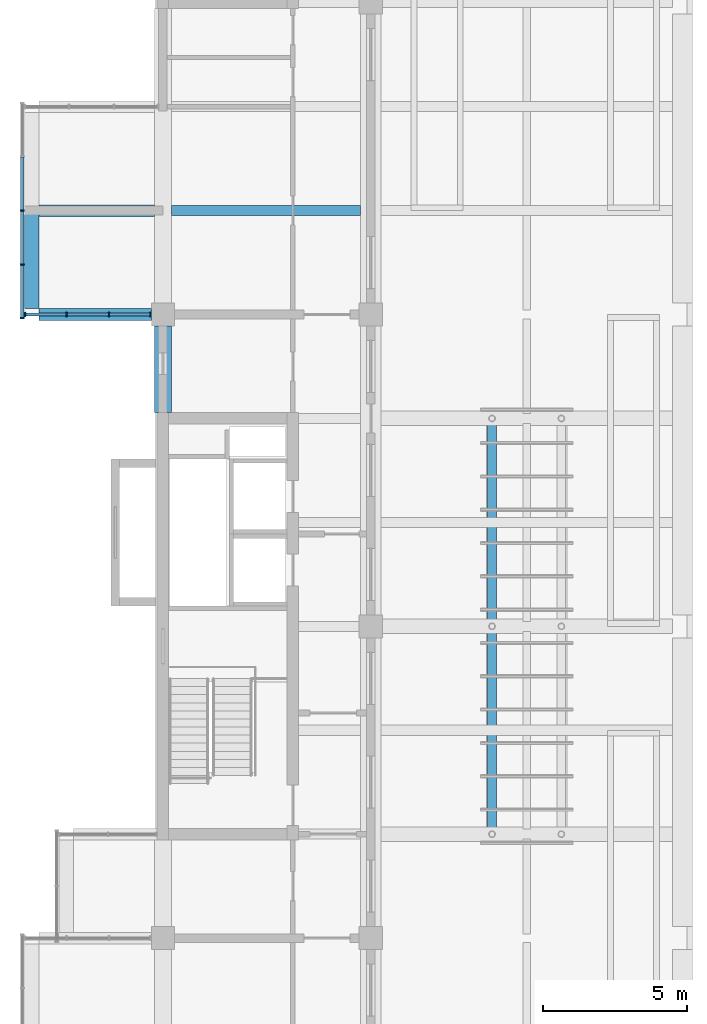
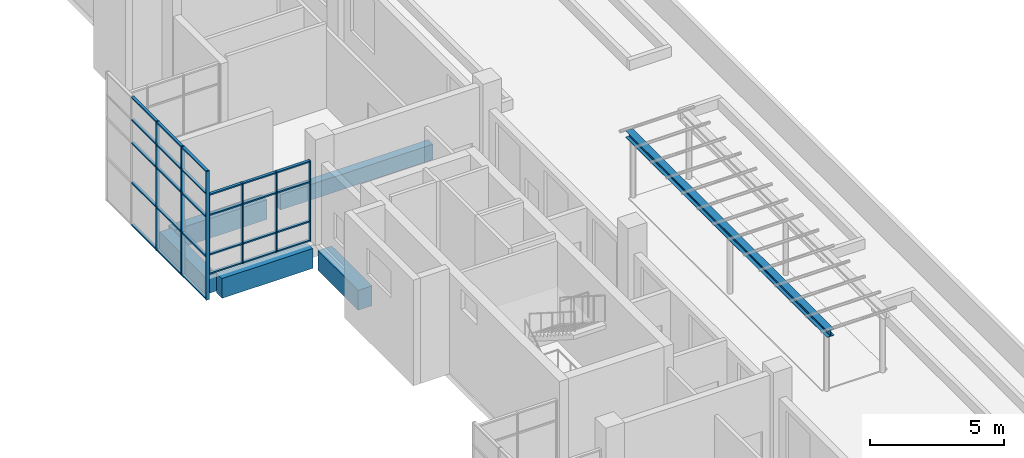
# One storey, part 7 of 16: 34 members, 6 beams, 2 elements without a shape of their own.
"""IFC4 building model written with IfcOpenShell, lengths in metres."""

from ifc_helpers import new_model, si_unit, direction, frame, origin, origin_2d, place, context, subcontext, project, spatial, rectangle, i_section, extrude, material, layer, layer_set, material_profile, profile_set, type_object, element, aggregate, save


model = new_model("IFC4")

# Units and contexts
model_context = context("Model", 3, precision=1e-05, world=origin(), true_north=direction((0.0, 1.0)))
body_context = subcontext(model_context, "Body", "Model", "MODEL_VIEW")
ifc_project = project(units=[si_unit("LENGTHUNIT", "METRE"), si_unit("AREAUNIT", "SQUARE_METRE"), si_unit("VOLUMEUNIT", "CUBIC_METRE"), si_unit("PLANEANGLEUNIT", "RADIAN"), si_unit("MASSUNIT", "GRAM", prefix="KILO")], contexts=[model_context])

# Site, building, storey
site_placement = place(None, origin())
site = spatial("IfcSite", under=ifc_project, at=site_placement, CompositionType="ELEMENT")
building_placement = place(site_placement, origin())
building = spatial("IfcBuilding", under=site, at=building_placement, Name="Basin Gate Institute", CompositionType="ELEMENT")
storey_placement = place(building_placement, frame((0.0, 0.0, 65.39990234375)))
storey = spatial("IfcBuildingStorey", under=building, at=storey_placement, Name="L13", CompositionType="ELEMENT", Elevation=65.39990234375)

# Beams
ifc_material_1 = material(Name="Concrete 40 MPa", Category="concrete")
ifc_material_profile_1 = material_profile(ifc_material_1, rectangle(XDim=0.35009765625, YDim=0.699951171875, at=origin_2d()), Name="Beam B1 350 x 700")
ifc_profile_set_1 = profile_set([ifc_material_profile_1], Name="Concrete 40 MPa")
beam_type_1 = type_object("IfcBeamType", Name="Beam B1 R120", PredefinedType="BEAM", material=ifc_profile_set_1)
beam_1_placement = place(storey_placement, frame((61.5, 81.89990234375, -0.599853515625), z_axis=(1.0, 0.0, 0.0), x_axis=(0.0, 1.0, 0.0)))
element("IfcBeam", 1, at=beam_1_placement, inside=storey, type_object=beam_type_1, material=ifc_profile_set_1, Name="BEAM/L13/W/OUT/14", PredefinedType="BEAM", context=body_context, shape_type="SweptSolid", body=[
    extrude(rectangle(XDim=0.35009765625, YDim=0.699951171875, at=origin_2d()), origin(), (0.0, 0.0, 1.0), 6.550048828125),
])
ifc_material_2 = material(Name="Concrete 50 MPa", Category="concrete")
ifc_material_profile_2 = material_profile(ifc_material_2, rectangle(XDim=0.39990234375, YDim=0.89990234375, at=origin_2d()), Name="Cantilever beam B3 400 x 900")
ifc_profile_set_2 = profile_set([ifc_material_profile_2], Name="Concrete 50 MPa")
beam_type_2 = type_object("IfcBeamType", Name="Cantilever beam B3 R120", PredefinedType="BEAM", material=ifc_profile_set_2)
beam_2_placement = place(storey_placement, frame((56.89990234375, 78.300048828125, -0.699951171875), z_axis=(1.0, 0.0, 0.0), x_axis=(0.0, 1.0, 0.0)))
element("IfcBeam", 2, at=beam_2_placement, inside=storey, type_object=beam_type_2, material=ifc_profile_set_2, Name="BEAM/L13/W/CANT/13", PredefinedType="BEAM", context=body_context, shape_type="SweptSolid", body=[
    extrude(rectangle(XDim=0.39990234375, YDim=0.89990234375, at=origin_2d()), origin(), (0.0, 0.0, 1.0), 3.900146484375),
])
beam_3_placement = place(storey_placement, frame((56.89990234375, 81.89990234375, -0.699951171875), z_axis=(1.0, 0.0, 0.0), x_axis=(0.0, 1.0, 0.0)))
element("IfcBeam", 3, at=beam_3_placement, inside=storey, type_object=beam_type_2, material=ifc_profile_set_2, Name="BEAM/L13/W/CANT/14", PredefinedType="BEAM", context=body_context, shape_type="SweptSolid", body=[
    extrude(rectangle(XDim=0.39990234375, YDim=0.89990234375, at=origin_2d()), origin(), (0.0, 0.0, 1.0), 4.0),
])
ifc_material_3 = material(Name="Concrete 50 MPa", Category="concrete")
ifc_material_profile_3 = material_profile(ifc_material_3, rectangle(XDim=0.60009765625, YDim=0.89990234375, at=origin_2d()), Name="Edge return beam EB3 600 x 900")
ifc_profile_set_3 = profile_set([ifc_material_profile_3], Name="Concrete 50 MPa")
beam_type_3 = type_object("IfcBeamType", Name="Edge return beam EB3 R120", PredefinedType="SPANDREL", material=ifc_profile_set_3)
beam_4_placement = place(storey_placement, frame((61.199951171875, 74.89990234375, -0.699951171875), z_axis=(0.0, 1.0, 0.0), x_axis=(-1.0, 0.0, 0.0)))
element("IfcBeam", 4, at=beam_4_placement, inside=storey, type_object=beam_type_3, material=ifc_profile_set_3, Name="BEAM/L13/W/EDGE/3", PredefinedType="SPANDREL", context=body_context, shape_type="SweptSolid", body=[
    extrude(rectangle(XDim=0.60009765625, YDim=0.89990234375, at=origin_2d()), origin(), (0.0, 0.0, 1.0), 3.0),
])

# Curtain wall, members
ifc_material_4 = material(Name="Aluminium-framed glazing", Category="aluminium")
ifc_layer = layer(ifc_material_4, 0.14990234375)
ifc_layer_set = layer_set([ifc_layer], Name="Capsule front curtain wall CW1")
curtain_wall_type = type_object("IfcCurtainWallType", Name="Capsule front curtain wall CW1", PredefinedType="NOTDEFINED", material=ifc_layer_set)
curtain_wall_1_placement = place(storey_placement, origin())
curtain_wall_1 = element("IfcCurtainWall", 5, at=curtain_wall_1_placement, inside=storey, type_object=curtain_wall_type, material=ifc_layer_set, Name="Capsule front curtain wall W wing capsule end L13 line 13", PredefinedType="NOTDEFINED")
ifc_material_5 = material(Name="Aluminium", Category="aluminium")
ifc_material_profile_4 = material_profile(ifc_material_5, rectangle(XDim=0.14990234375, YDim=0.050048828125, at=origin_2d()), Name="Mullion MU1 150 x 50")
ifc_profile_set_4 = profile_set([ifc_material_profile_4], Name="Aluminium")
member_type_1 = type_object("IfcMemberType", Name="Mullion MU1", PredefinedType="MULLION", material=ifc_profile_set_4)
member_1_placement = place(storey_placement, frame((56.425048828125, 78.300048828125, 0.0), z_axis=(0.0, 0.0, 1.0), x_axis=(0.0, 1.0, 0.0)))
member_1 = element("IfcMember", 6, at=member_1_placement, type_object=member_type_1, material=ifc_profile_set_4, Name="CW1 mullion 1", PredefinedType="MULLION", context=body_context, shape_type="SweptSolid", body=[
    extrude(rectangle(XDim=0.14990234375, YDim=0.050048828125, at=origin_2d()), origin(), (0.0, 0.0, 1.0), 3.650146484375),
])
member_2_placement = place(storey_placement, frame((57.86669921875, 78.300048828125, 0.0), z_axis=(0.0, 0.0, 1.0), x_axis=(0.0, 1.0, 0.0)))
member_2 = element("IfcMember", 7, at=member_2_placement, type_object=member_type_1, material=ifc_profile_set_4, Name="CW1 mullion 2", PredefinedType="MULLION", context=body_context, shape_type="SweptSolid", body=[
    extrude(rectangle(XDim=0.14990234375, YDim=0.050048828125, at=origin_2d()), origin(), (0.0, 0.0, 1.0), 3.650146484375),
])
member_3_placement = place(storey_placement, frame((59.333251953125, 78.300048828125, 0.0), z_axis=(0.0, 0.0, 1.0), x_axis=(0.0, 1.0, 0.0)))
member_3 = element("IfcMember", 8, at=member_3_placement, type_object=member_type_1, material=ifc_profile_set_4, Name="CW1 mullion 3", PredefinedType="MULLION", context=body_context, shape_type="SweptSolid", body=[
    extrude(rectangle(XDim=0.14990234375, YDim=0.050048828125, at=origin_2d()), origin(), (0.0, 0.0, 1.0), 3.650146484375),
])
member_4_placement = place(storey_placement, frame((60.77490234375, 78.300048828125, 0.0), z_axis=(0.0, 0.0, 1.0), x_axis=(0.0, 1.0, 0.0)))
member_4 = element("IfcMember", 9, at=member_4_placement, type_object=member_type_1, material=ifc_profile_set_4, Name="CW1 mullion 4", PredefinedType="MULLION", context=body_context, shape_type="SweptSolid", body=[
    extrude(rectangle(XDim=0.14990234375, YDim=0.050048828125, at=origin_2d()), origin(), (0.0, 0.0, 1.0), 3.650146484375),
])

curtain_wall_2_placement = place(storey_placement, origin())
curtain_wall_2 = element("IfcCurtainWall", 10, at=curtain_wall_2_placement, inside=storey, type_object=curtain_wall_type, material=ifc_layer_set, Name="Capsule front curtain wall W wing capsule 2 L13 front 2", PredefinedType="NOTDEFINED")
member_5_placement = place(storey_placement, frame((56.324951171875, 78.175048828125, -1.0498046875), z_axis=(0.0, 0.0, 1.0), x_axis=(-1.0, 0.0, 0.0)))
member_5 = element("IfcMember", 11, at=member_5_placement, type_object=member_type_1, material=ifc_profile_set_4, Name="CW1 mullion 1", PredefinedType="MULLION", context=body_context, shape_type="SweptSolid", body=[
    extrude(rectangle(XDim=0.14990234375, YDim=0.050048828125, at=origin_2d()), origin(), (0.0, 0.0, 1.0), 5.849853515625),
])
member_6_placement = place(storey_placement, frame((56.324951171875, 80.02490234375, -1.0498046875), z_axis=(0.0, 0.0, 1.0), x_axis=(-1.0, 0.0, 0.0)))
member_6 = element("IfcMember", 12, at=member_6_placement, type_object=member_type_1, material=ifc_profile_set_4, Name="CW1 mullion 2", PredefinedType="MULLION", context=body_context, shape_type="SweptSolid", body=[
    extrude(rectangle(XDim=0.14990234375, YDim=0.050048828125, at=origin_2d()), origin(), (0.0, 0.0, 1.0), 5.849853515625),
])
member_7_placement = place(storey_placement, frame((56.324951171875, 81.89990234375, -1.0498046875), z_axis=(0.0, 0.0, 1.0), x_axis=(-1.0, 0.0, 0.0)))
member_7 = element("IfcMember", 13, at=member_7_placement, type_object=member_type_1, material=ifc_profile_set_4, Name="CW1 mullion 3", PredefinedType="MULLION", context=body_context, shape_type="SweptSolid", body=[
    extrude(rectangle(XDim=0.14990234375, YDim=0.050048828125, at=origin_2d()), origin(), (0.0, 0.0, 1.0), 5.849853515625),
])

# Beams
ifc_material_6 = material(Name="Structural steel SN490", Category="steel")
ifc_material_profile_5 = material_profile(ifc_material_6, i_section(OverallWidth=0.300048828125, OverallDepth=0.300048828125, WebThickness=0.010009765625, FlangeThickness=0.014892578125, FilletRadius=0.01806640625, at=origin_2d()), Name="H300x300")
ifc_profile_set_5 = profile_set([ifc_material_profile_5], Name="Structural steel SN490")
beam_type_4 = type_object("IfcBeamType", Name="Pergola beam TC2", PredefinedType="BEAM", material=ifc_profile_set_5)
beam_5_placement = place(storey_placement, frame((72.60009765625, 60.0, 2.75), z_axis=(0.0, 1.0, 0.0), x_axis=(-1.0, 0.0, 0.0)))
element("IfcBeam", 14, at=beam_5_placement, inside=storey, type_object=beam_type_4, material=ifc_profile_set_5, Name="Pergola beam TC2 W1", PredefinedType="BEAM", context=body_context, shape_type="SweptSolid", body=[
    extrude(i_section(OverallWidth=0.300048828125, OverallDepth=0.300048828125, WebThickness=0.010009765625, FlangeThickness=0.014892578125, FilletRadius=0.01806640625, at=origin_2d()), origin(), (0.0, 0.0, 1.0), 15.0),
])
ifc_material_7 = material(Name="Concrete 50 MPa", Category="concrete")
ifc_material_profile_6 = material_profile(ifc_material_7, rectangle(XDim=0.5, YDim=0.800048828125, at=origin_2d()), Name="Tip beam TB1 500 x 800")
ifc_profile_set_6 = profile_set([ifc_material_profile_6], Name="Concrete 50 MPa")
beam_type_5 = type_object("IfcBeamType", Name="Tip beam TB1 R120", PredefinedType="SPANDREL", material=ifc_profile_set_6)
beam_6_placement = place(storey_placement, frame((56.64990234375, 78.5, -0.64990234375), z_axis=(0.0, 1.0, 0.0), x_axis=(-1.0, 0.0, 0.0)))
element("IfcBeam", 15, at=beam_6_placement, inside=storey, type_object=beam_type_5, material=ifc_profile_set_6, Name="BEAM/L13/W/TIP/6", PredefinedType="SPANDREL", context=body_context, shape_type="SweptSolid", body=[
    extrude(rectangle(XDim=0.5, YDim=0.800048828125, at=origin_2d()), origin(), (0.0, 0.0, 1.0), 3.39990234375),
])

# Member
ifc_material_8 = material(Name="Aluminium", Category="aluminium")
ifc_material_profile_7 = material_profile(ifc_material_8, rectangle(XDim=0.1201171875, YDim=0.06005859375, at=origin_2d()), Name="Transom TR1 120 x 60")
ifc_profile_set_7 = profile_set([ifc_material_profile_7], Name="Aluminium")
member_type_2 = type_object("IfcMemberType", Name="Transom TR1", PredefinedType="USERDEFINED", material=ifc_profile_set_7)
member_8_placement = place(storey_placement, frame((56.449951171875, 78.300048828125, 0.030029296875), z_axis=(1.0, 0.0, 0.0), x_axis=(0.0, 1.0, 0.0)))
member_8 = element("IfcMember", 16, at=member_8_placement, type_object=member_type_2, material=ifc_profile_set_7, Name="CW1 transom 1.1", ObjectType="TRANSOM", PredefinedType="USERDEFINED", context=body_context, shape_type="SweptSolid", body=[
    extrude(rectangle(XDim=0.1201171875, YDim=0.06005859375, at=origin_2d()), origin(), (0.0, 0.0, 1.0), 1.3916015625),
])

member_9_placement = place(storey_placement, frame((56.449951171875, 78.300048828125, 0.900146484375), z_axis=(1.0, 0.0, 0.0), x_axis=(0.0, 1.0, 0.0)))
member_9 = element("IfcMember", 17, at=member_9_placement, type_object=member_type_2, material=ifc_profile_set_7, Name="CW1 transom 1.2", ObjectType="TRANSOM", PredefinedType="USERDEFINED", context=body_context, shape_type="SweptSolid", body=[
    extrude(rectangle(XDim=0.1201171875, YDim=0.06005859375, at=origin_2d()), origin(), (0.0, 0.0, 1.0), 1.3916015625),
])

member_10_placement = place(storey_placement, frame((56.449951171875, 78.300048828125, 2.7001953125), z_axis=(1.0, 0.0, 0.0), x_axis=(0.0, 1.0, 0.0)))
member_10 = element("IfcMember", 18, at=member_10_placement, type_object=member_type_2, material=ifc_profile_set_7, Name="CW1 transom 1.3", ObjectType="TRANSOM", PredefinedType="USERDEFINED", context=body_context, shape_type="SweptSolid", body=[
    extrude(rectangle(XDim=0.1201171875, YDim=0.06005859375, at=origin_2d()), origin(), (0.0, 0.0, 1.0), 1.3916015625),
])

member_11_placement = place(storey_placement, frame((56.449951171875, 78.300048828125, 3.6201171875), z_axis=(1.0, 0.0, 0.0), x_axis=(0.0, 1.0, 0.0)))
member_11 = element("IfcMember", 19, at=member_11_placement, type_object=member_type_2, material=ifc_profile_set_7, Name="CW1 transom 1.4", ObjectType="TRANSOM", PredefinedType="USERDEFINED", context=body_context, shape_type="SweptSolid", body=[
    extrude(rectangle(XDim=0.1201171875, YDim=0.06005859375, at=origin_2d()), origin(), (0.0, 0.0, 1.0), 1.3916015625),
])

member_12_placement = place(storey_placement, frame((57.8916015625, 78.300048828125, 0.030029296875), z_axis=(1.0, 0.0, 0.0), x_axis=(0.0, 1.0, 0.0)))
member_12 = element("IfcMember", 20, at=member_12_placement, type_object=member_type_2, material=ifc_profile_set_7, Name="CW1 transom 2.1", ObjectType="TRANSOM", PredefinedType="USERDEFINED", context=body_context, shape_type="SweptSolid", body=[
    extrude(rectangle(XDim=0.1201171875, YDim=0.06005859375, at=origin_2d()), origin(), (0.0, 0.0, 1.0), 1.416748046875),
])

member_13_placement = place(storey_placement, frame((57.8916015625, 78.300048828125, 0.900146484375), z_axis=(1.0, 0.0, 0.0), x_axis=(0.0, 1.0, 0.0)))
member_13 = element("IfcMember", 21, at=member_13_placement, type_object=member_type_2, material=ifc_profile_set_7, Name="CW1 transom 2.2", ObjectType="TRANSOM", PredefinedType="USERDEFINED", context=body_context, shape_type="SweptSolid", body=[
    extrude(rectangle(XDim=0.1201171875, YDim=0.06005859375, at=origin_2d()), origin(), (0.0, 0.0, 1.0), 1.416748046875),
])

member_14_placement = place(storey_placement, frame((57.8916015625, 78.300048828125, 2.7001953125), z_axis=(1.0, 0.0, 0.0), x_axis=(0.0, 1.0, 0.0)))
member_14 = element("IfcMember", 22, at=member_14_placement, type_object=member_type_2, material=ifc_profile_set_7, Name="CW1 transom 2.3", ObjectType="TRANSOM", PredefinedType="USERDEFINED", context=body_context, shape_type="SweptSolid", body=[
    extrude(rectangle(XDim=0.1201171875, YDim=0.06005859375, at=origin_2d()), origin(), (0.0, 0.0, 1.0), 1.416748046875),
])

member_15_placement = place(storey_placement, frame((57.8916015625, 78.300048828125, 3.6201171875), z_axis=(1.0, 0.0, 0.0), x_axis=(0.0, 1.0, 0.0)))
member_15 = element("IfcMember", 23, at=member_15_placement, type_object=member_type_2, material=ifc_profile_set_7, Name="CW1 transom 2.4", ObjectType="TRANSOM", PredefinedType="USERDEFINED", context=body_context, shape_type="SweptSolid", body=[
    extrude(rectangle(XDim=0.1201171875, YDim=0.06005859375, at=origin_2d()), origin(), (0.0, 0.0, 1.0), 1.416748046875),
])

member_16_placement = place(storey_placement, frame((59.3583984375, 78.300048828125, 0.030029296875), z_axis=(1.0, 0.0, 0.0), x_axis=(0.0, 1.0, 0.0)))
member_16 = element("IfcMember", 24, at=member_16_placement, type_object=member_type_2, material=ifc_profile_set_7, Name="CW1 transom 3.1", ObjectType="TRANSOM", PredefinedType="USERDEFINED", context=body_context, shape_type="SweptSolid", body=[
    extrude(rectangle(XDim=0.1201171875, YDim=0.06005859375, at=origin_2d()), origin(), (0.0, 0.0, 1.0), 1.3916015625),
])

member_17_placement = place(storey_placement, frame((59.3583984375, 78.300048828125, 0.900146484375), z_axis=(1.0, 0.0, 0.0), x_axis=(0.0, 1.0, 0.0)))
member_17 = element("IfcMember", 25, at=member_17_placement, type_object=member_type_2, material=ifc_profile_set_7, Name="CW1 transom 3.2", ObjectType="TRANSOM", PredefinedType="USERDEFINED", context=body_context, shape_type="SweptSolid", body=[
    extrude(rectangle(XDim=0.1201171875, YDim=0.06005859375, at=origin_2d()), origin(), (0.0, 0.0, 1.0), 1.3916015625),
])

member_18_placement = place(storey_placement, frame((59.3583984375, 78.300048828125, 2.7001953125), z_axis=(1.0, 0.0, 0.0), x_axis=(0.0, 1.0, 0.0)))
member_18 = element("IfcMember", 26, at=member_18_placement, type_object=member_type_2, material=ifc_profile_set_7, Name="CW1 transom 3.3", ObjectType="TRANSOM", PredefinedType="USERDEFINED", context=body_context, shape_type="SweptSolid", body=[
    extrude(rectangle(XDim=0.1201171875, YDim=0.06005859375, at=origin_2d()), origin(), (0.0, 0.0, 1.0), 1.3916015625),
])

member_19_placement = place(storey_placement, frame((59.3583984375, 78.300048828125, 3.6201171875), z_axis=(1.0, 0.0, 0.0), x_axis=(0.0, 1.0, 0.0)))
member_19 = element("IfcMember", 27, at=member_19_placement, type_object=member_type_2, material=ifc_profile_set_7, Name="CW1 transom 3.4", ObjectType="TRANSOM", PredefinedType="USERDEFINED", context=body_context, shape_type="SweptSolid", body=[
    extrude(rectangle(XDim=0.1201171875, YDim=0.06005859375, at=origin_2d()), origin(), (0.0, 0.0, 1.0), 1.3916015625),
])

aggregate(curtain_wall_1, [member_1, member_2, member_3, member_4, member_8, member_9, member_10, member_11, member_12, member_13, member_14, member_15, member_16, member_17, member_18, member_19])

member_20_placement = place(storey_placement, frame((56.324951171875, 78.199951171875, -1.02001953125), z_axis=(0.0, 1.0, 0.0), x_axis=(-1.0, 0.0, 0.0)))
member_20 = element("IfcMember", 28, at=member_20_placement, type_object=member_type_2, material=ifc_profile_set_7, Name="CW1 transom 1.1", ObjectType="TRANSOM", PredefinedType="USERDEFINED", context=body_context, shape_type="SweptSolid", body=[
    extrude(rectangle(XDim=0.1201171875, YDim=0.06005859375, at=origin_2d()), origin(), (0.0, 0.0, 1.0), 1.800048828125),
])

member_21_placement = place(storey_placement, frame((56.324951171875, 78.199951171875, 0.900146484375), z_axis=(0.0, 1.0, 0.0), x_axis=(-1.0, 0.0, 0.0)))
member_21 = element("IfcMember", 29, at=member_21_placement, type_object=member_type_2, material=ifc_profile_set_7, Name="CW1 transom 1.2", ObjectType="TRANSOM", PredefinedType="USERDEFINED", context=body_context, shape_type="SweptSolid", body=[
    extrude(rectangle(XDim=0.1201171875, YDim=0.06005859375, at=origin_2d()), origin(), (0.0, 0.0, 1.0), 1.800048828125),
])

member_22_placement = place(storey_placement, frame((56.324951171875, 78.199951171875, 2.7001953125), z_axis=(0.0, 1.0, 0.0), x_axis=(-1.0, 0.0, 0.0)))
member_22 = element("IfcMember", 30, at=member_22_placement, type_object=member_type_2, material=ifc_profile_set_7, Name="CW1 transom 1.3", ObjectType="TRANSOM", PredefinedType="USERDEFINED", context=body_context, shape_type="SweptSolid", body=[
    extrude(rectangle(XDim=0.1201171875, YDim=0.06005859375, at=origin_2d()), origin(), (0.0, 0.0, 1.0), 1.800048828125),
])

member_23_placement = place(storey_placement, frame((56.324951171875, 78.199951171875, 3.75), z_axis=(0.0, 1.0, 0.0), x_axis=(-1.0, 0.0, 0.0)))
member_23 = element("IfcMember", 31, at=member_23_placement, type_object=member_type_2, material=ifc_profile_set_7, Name="CW1 transom 1.4", ObjectType="TRANSOM", PredefinedType="USERDEFINED", context=body_context, shape_type="SweptSolid", body=[
    extrude(rectangle(XDim=0.1201171875, YDim=0.06005859375, at=origin_2d()), origin(), (0.0, 0.0, 1.0), 1.800048828125),
])

member_24_placement = place(storey_placement, frame((56.324951171875, 78.199951171875, 4.77001953125), z_axis=(0.0, 1.0, 0.0), x_axis=(-1.0, 0.0, 0.0)))
member_24 = element("IfcMember", 32, at=member_24_placement, type_object=member_type_2, material=ifc_profile_set_7, Name="CW1 transom 1.5", ObjectType="TRANSOM", PredefinedType="USERDEFINED", context=body_context, shape_type="SweptSolid", body=[
    extrude(rectangle(XDim=0.1201171875, YDim=0.06005859375, at=origin_2d()), origin(), (0.0, 0.0, 1.0), 1.800048828125),
])

member_25_placement = place(storey_placement, frame((56.324951171875, 80.050048828125, -1.02001953125), z_axis=(0.0, 1.0, 0.0), x_axis=(-1.0, 0.0, 0.0)))
member_25 = element("IfcMember", 33, at=member_25_placement, type_object=member_type_2, material=ifc_profile_set_7, Name="CW1 transom 2.1", ObjectType="TRANSOM", PredefinedType="USERDEFINED", context=body_context, shape_type="SweptSolid", body=[
    extrude(rectangle(XDim=0.1201171875, YDim=0.06005859375, at=origin_2d()), origin(), (0.0, 0.0, 1.0), 1.824951171875),
])

member_26_placement = place(storey_placement, frame((56.324951171875, 80.050048828125, 0.900146484375), z_axis=(0.0, 1.0, 0.0), x_axis=(-1.0, 0.0, 0.0)))
member_26 = element("IfcMember", 34, at=member_26_placement, type_object=member_type_2, material=ifc_profile_set_7, Name="CW1 transom 2.2", ObjectType="TRANSOM", PredefinedType="USERDEFINED", context=body_context, shape_type="SweptSolid", body=[
    extrude(rectangle(XDim=0.1201171875, YDim=0.06005859375, at=origin_2d()), origin(), (0.0, 0.0, 1.0), 1.824951171875),
])

member_27_placement = place(storey_placement, frame((56.324951171875, 80.050048828125, 2.7001953125), z_axis=(0.0, 1.0, 0.0), x_axis=(-1.0, 0.0, 0.0)))
member_27 = element("IfcMember", 35, at=member_27_placement, type_object=member_type_2, material=ifc_profile_set_7, Name="CW1 transom 2.3", ObjectType="TRANSOM", PredefinedType="USERDEFINED", context=body_context, shape_type="SweptSolid", body=[
    extrude(rectangle(XDim=0.1201171875, YDim=0.06005859375, at=origin_2d()), origin(), (0.0, 0.0, 1.0), 1.824951171875),
])

member_28_placement = place(storey_placement, frame((56.324951171875, 80.050048828125, 3.75), z_axis=(0.0, 1.0, 0.0), x_axis=(-1.0, 0.0, 0.0)))
member_28 = element("IfcMember", 36, at=member_28_placement, type_object=member_type_2, material=ifc_profile_set_7, Name="CW1 transom 2.4", ObjectType="TRANSOM", PredefinedType="USERDEFINED", context=body_context, shape_type="SweptSolid", body=[
    extrude(rectangle(XDim=0.1201171875, YDim=0.06005859375, at=origin_2d()), origin(), (0.0, 0.0, 1.0), 1.824951171875),
])

member_29_placement = place(storey_placement, frame((56.324951171875, 80.050048828125, 4.77001953125), z_axis=(0.0, 1.0, 0.0), x_axis=(-1.0, 0.0, 0.0)))
member_29 = element("IfcMember", 37, at=member_29_placement, type_object=member_type_2, material=ifc_profile_set_7, Name="CW1 transom 2.5", ObjectType="TRANSOM", PredefinedType="USERDEFINED", context=body_context, shape_type="SweptSolid", body=[
    extrude(rectangle(XDim=0.1201171875, YDim=0.06005859375, at=origin_2d()), origin(), (0.0, 0.0, 1.0), 1.824951171875),
])

member_30_placement = place(storey_placement, frame((56.324951171875, 81.925048828125, -1.02001953125), z_axis=(0.0, 1.0, 0.0), x_axis=(-1.0, 0.0, 0.0)))
member_30 = element("IfcMember", 38, at=member_30_placement, type_object=member_type_2, material=ifc_profile_set_7, Name="CW1 transom 3.1", ObjectType="TRANSOM", PredefinedType="USERDEFINED", context=body_context, shape_type="SweptSolid", body=[
    extrude(rectangle(XDim=0.1201171875, YDim=0.06005859375, at=origin_2d()), origin(), (0.0, 0.0, 1.0), 1.824951171875),
])

member_31_placement = place(storey_placement, frame((56.324951171875, 81.925048828125, 0.900146484375), z_axis=(0.0, 1.0, 0.0), x_axis=(-1.0, 0.0, 0.0)))
member_31 = element("IfcMember", 39, at=member_31_placement, type_object=member_type_2, material=ifc_profile_set_7, Name="CW1 transom 3.2", ObjectType="TRANSOM", PredefinedType="USERDEFINED", context=body_context, shape_type="SweptSolid", body=[
    extrude(rectangle(XDim=0.1201171875, YDim=0.06005859375, at=origin_2d()), origin(), (0.0, 0.0, 1.0), 1.824951171875),
])

member_32_placement = place(storey_placement, frame((56.324951171875, 81.925048828125, 2.7001953125), z_axis=(0.0, 1.0, 0.0), x_axis=(-1.0, 0.0, 0.0)))
member_32 = element("IfcMember", 40, at=member_32_placement, type_object=member_type_2, material=ifc_profile_set_7, Name="CW1 transom 3.3", ObjectType="TRANSOM", PredefinedType="USERDEFINED", context=body_context, shape_type="SweptSolid", body=[
    extrude(rectangle(XDim=0.1201171875, YDim=0.06005859375, at=origin_2d()), origin(), (0.0, 0.0, 1.0), 1.824951171875),
])

member_33_placement = place(storey_placement, frame((56.324951171875, 81.925048828125, 3.75), z_axis=(0.0, 1.0, 0.0), x_axis=(-1.0, 0.0, 0.0)))
member_33 = element("IfcMember", 41, at=member_33_placement, type_object=member_type_2, material=ifc_profile_set_7, Name="CW1 transom 3.4", ObjectType="TRANSOM", PredefinedType="USERDEFINED", context=body_context, shape_type="SweptSolid", body=[
    extrude(rectangle(XDim=0.1201171875, YDim=0.06005859375, at=origin_2d()), origin(), (0.0, 0.0, 1.0), 1.824951171875),
])

member_34_placement = place(storey_placement, frame((56.324951171875, 81.925048828125, 4.77001953125), z_axis=(0.0, 1.0, 0.0), x_axis=(-1.0, 0.0, 0.0)))
member_34 = element("IfcMember", 42, at=member_34_placement, type_object=member_type_2, material=ifc_profile_set_7, Name="CW1 transom 3.5", ObjectType="TRANSOM", PredefinedType="USERDEFINED", context=body_context, shape_type="SweptSolid", body=[
    extrude(rectangle(XDim=0.1201171875, YDim=0.06005859375, at=origin_2d()), origin(), (0.0, 0.0, 1.0), 1.824951171875),
])

aggregate(curtain_wall_2, [member_5, member_6, member_7, member_20, member_21, member_22, member_23, member_24, member_25, member_26, member_27, member_28, member_29, member_30, member_31, member_32, member_33, member_34])

save(model, "model.ifc")
